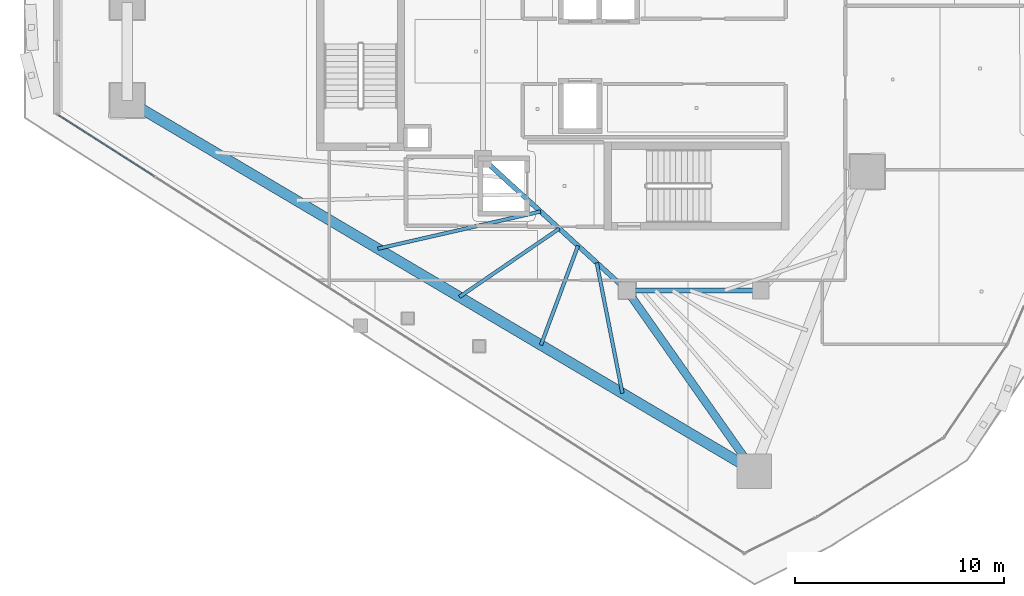
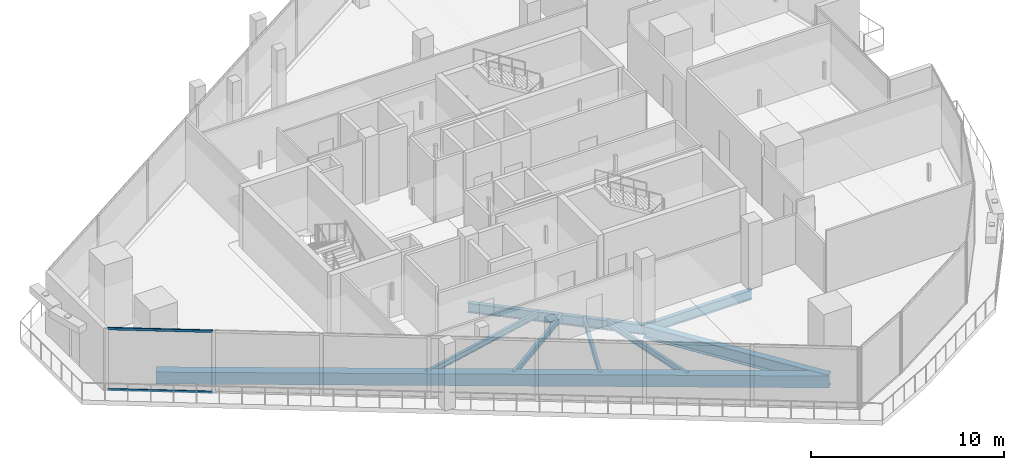
# One storey, part 5 of 34: 8 beams, 2 members, 1 element without a shape of its own.
"""IFC4 building model written with IfcOpenShell, lengths in metres."""

from ifc_helpers import new_model, si_unit, direction, frame, origin, origin_2d, place, context, subcontext, project, spatial, rectangle, hollow_rectangle, i_section, extrude, material, layer, layer_set, material_profile, profile_set, type_object, element, aggregate, save


model = new_model("IFC4")

# Units and contexts
model_context = context("Model", 3, precision=1e-05, world=origin(), true_north=direction((0.0, 1.0)))
body_context = subcontext(model_context, "Body", "Model", "MODEL_VIEW")
ifc_project = project(units=[si_unit("LENGTHUNIT", "METRE"), si_unit("AREAUNIT", "SQUARE_METRE"), si_unit("VOLUMEUNIT", "CUBIC_METRE"), si_unit("PLANEANGLEUNIT", "RADIAN"), si_unit("MASSUNIT", "GRAM", prefix="KILO")], contexts=[model_context])

# Site, building, storey
site_placement = place(None, origin())
site = spatial("IfcSite", under=ifc_project, at=site_placement, CompositionType="ELEMENT")
building_placement = place(site_placement, origin())
building = spatial("IfcBuilding", under=site, at=building_placement, Name="Qorvath Tower", CompositionType="ELEMENT")
storey_placement = place(building_placement, frame((0.0, 0.0, 268.199951171875)))
storey = spatial("IfcBuildingStorey", under=building, at=storey_placement, Name="L62", CompositionType="ELEMENT", Elevation=268.199951171875)

# Beams
ifc_material_1 = material(Name="Steel ASTM A992 Grade 50", Category="steel")
ifc_material_profile_1 = material_profile(ifc_material_1, i_section(OverallWidth=0.381103515625, OverallDepth=0.77294921875, WebThickness=0.0166015625, FlangeThickness=0.027099609375, FilletRadius=0.01904296875, at=origin_2d()), Name="W30x173")
ifc_profile_set_1 = profile_set([ifc_material_profile_1], Name="Steel ASTM A992 Grade 50")
beam_type_1 = type_object("IfcBeamType", Name="BM-FG3", PredefinedType="BEAM", material=ifc_profile_set_1)
beam_1_placement = place(storey_placement, frame((-23.60009765625, -11.449951171875, -0.676513671875), z_axis=(0.575274974004, -0.81796008722, 0.0), x_axis=(0.81796008722, 0.575274974004, 0.0)))
element("IfcBeam", 1, at=beam_1_placement, inside=storey, type_object=beam_type_1, Name="Radial Floor Girder CC4-MC3 L62", PredefinedType="BEAM", context=body_context, shape_type="SweptSolid", body=[
    extrude(i_section(OverallWidth=0.381103515625, OverallDepth=0.77294921875, WebThickness=0.0166015625, FlangeThickness=0.027099609375, FilletRadius=0.01904296875, at=origin_2d()), origin(), (0.0, 0.0, 1.0), 10.5771484375),
])
ifc_material_2 = material(Name="Steel ASTM A992 Grade 50", Category="steel")
ifc_material_profile_2 = material_profile(ifc_material_2, i_section(OverallWidth=0.22998046875, OverallDepth=0.616943359375, WebThickness=0.01318359375, FlangeThickness=0.022216796875, FilletRadius=0.014892578125, at=origin_2d()), Name="W24x94")
ifc_profile_set_2 = profile_set([ifc_material_profile_2], Name="Steel ASTM A992 Grade 50")
beam_type_2 = type_object("IfcBeamType", Name="BM-FG6", PredefinedType="BEAM", material=ifc_profile_set_2)
beam_2_placement = place(storey_placement, frame((-17.199951171875, -11.449951171875, -0.5986328125), z_axis=(-1.0, 0.0, 0.0), x_axis=(0.0, -1.0, 0.0)))
element("IfcBeam", 2, at=beam_2_placement, inside=storey, type_object=beam_type_2, Name="Core Ring Girder CC3-CC4 L62", PredefinedType="BEAM", context=body_context, shape_type="SweptSolid", body=[
    extrude(i_section(OverallWidth=0.22998046875, OverallDepth=0.616943359375, WebThickness=0.01318359375, FlangeThickness=0.022216796875, FilletRadius=0.014892578125, at=origin_2d()), origin(), (0.0, 0.0, 1.0), 6.400146484375),
])
beam_3_placement = place(storey_placement, frame((-23.60009765625, -11.449951171875, -0.5986328125), z_axis=(-0.73847813985, 0.6742774184, 0.0), x_axis=(-0.6742774184, -0.73847813985, 0.0)))
element("IfcBeam", 3, at=beam_3_placement, inside=storey, type_object=beam_type_2, Name="Core Ring Girder CC4-CC6 L62", PredefinedType="BEAM", context=body_context, shape_type="SweptSolid", body=[
    extrude(i_section(OverallWidth=0.22998046875, OverallDepth=0.616943359375, WebThickness=0.01318359375, FlangeThickness=0.022216796875, FilletRadius=0.014892578125, at=origin_2d()), origin(), (0.0, 0.0, 1.0), 9.343505859375),
])
ifc_material_3 = material(Name="Steel ASTM A992 Grade 50", Category="steel")
ifc_material_profile_3 = material_profile(ifc_material_3, i_section(OverallWidth=0.1708984375, OverallDepth=0.35107421875, WebThickness=0.0068359375, FlangeThickness=0.009765625, FilletRadius=0.010009765625, at=origin_2d()), Name="W14x30")
ifc_profile_set_3 = profile_set([ifc_material_profile_3], Name="Steel ASTM A992 Grade 50")
beam_type_3 = type_object("IfcBeamType", Name="BM-FJ4", PredefinedType="JOIST", material=ifc_profile_set_3)
beam_4_placement = place(storey_placement, frame((-27.739990234375, -7.669921875, -0.465576171875), z_axis=(-0.974852627195, -0.222850522212, 0.0), x_axis=(0.222850522212, -0.974852627195, 0.0)))
element("IfcBeam", 4, at=beam_4_placement, inside=storey, type_object=beam_type_3, Name="Composite Floor Joist SW3 L62", PredefinedType="JOIST", context=body_context, shape_type="SweptSolid", body=[
    extrude(i_section(OverallWidth=0.1708984375, OverallDepth=0.35107421875, WebThickness=0.0068359375, FlangeThickness=0.009765625, FilletRadius=0.010009765625, at=origin_2d()), origin(), (0.0, 0.0, 1.0), 7.98974609375),
])
beam_5_placement = place(storey_placement, frame((-26.843017578125, -8.489013671875, -0.465576171875), z_axis=(-0.82557592702, -0.564291049658, 0.0), x_axis=(0.564291049658, -0.82557592702, 0.0)))
element("IfcBeam", 5, at=beam_5_placement, inside=storey, type_object=beam_type_3, Name="Composite Floor Joist SW4 L62", PredefinedType="JOIST", context=body_context, shape_type="SweptSolid", body=[
    extrude(i_section(OverallWidth=0.1708984375, OverallDepth=0.35107421875, WebThickness=0.0068359375, FlangeThickness=0.009765625, FilletRadius=0.010009765625, at=origin_2d()), origin(), (0.0, 0.0, 1.0), 5.793212890625),
])
beam_6_placement = place(storey_placement, frame((-25.946044921875, -9.30810546875, -0.465576171875), z_axis=(-0.349858795354, -0.936802446257, 0.0), x_axis=(0.936802446257, -0.349858795354, 0.0)))
element("IfcBeam", 6, at=beam_6_placement, inside=storey, type_object=beam_type_3, Name="Composite Floor Joist SW5 L62", PredefinedType="JOIST", context=body_context, shape_type="SweptSolid", body=[
    extrude(i_section(OverallWidth=0.1708984375, OverallDepth=0.35107421875, WebThickness=0.0068359375, FlangeThickness=0.009765625, FilletRadius=0.010009765625, at=origin_2d()), origin(), (0.0, 0.0, 1.0), 5.078857421875),
])
beam_7_placement = place(storey_placement, frame((-25.049072265625, -10.126953125, -0.465576171875), z_axis=(0.193040016911, -0.981190884523, 0.0), x_axis=(0.981190884523, 0.193040016911, 0.0)))
element("IfcBeam", 7, at=beam_7_placement, inside=storey, type_object=beam_type_3, Name="Composite Floor Joist SW6 L62", PredefinedType="JOIST", context=body_context, shape_type="SweptSolid", body=[
    extrude(i_section(OverallWidth=0.1708984375, OverallDepth=0.35107421875, WebThickness=0.0068359375, FlangeThickness=0.009765625, FilletRadius=0.010009765625, at=origin_2d()), origin(), (0.0, 0.0, 1.0), 6.366455078125),
])
ifc_material_4 = material(Name="Concrete C45/55", Category="concrete")
ifc_material_profile_4 = material_profile(ifc_material_4, rectangle(XDim=0.5, YDim=0.75, at=origin_2d()), Name="RCB 750x500")
ifc_profile_set_4 = profile_set([ifc_material_profile_4], Name="Concrete C45/55")
beam_type_4 = type_object("IfcBeamType", Name="BM-RCB3", PredefinedType="SPANDREL", material=ifc_profile_set_4)
beam_8_placement = place(storey_placement, frame((-47.53759765625, -2.349609375, -0.6650390625), z_axis=(0.860781425392, -0.50897479083, 0.0), x_axis=(0.50897479083, 0.860781425392, 0.0)))
element("IfcBeam", 8, at=beam_8_placement, inside=storey, type_object=beam_type_4, Name="Perimeter Loggia Frame Beam MC2-MC3 L62", PredefinedType="SPANDREL", context=body_context, shape_type="SweptSolid", body=[
    extrude(rectangle(XDim=0.5, YDim=0.75, at=origin_2d()), origin(), (0.0, 0.0, 1.0), 34.8779296875),
])

# Curtain wall, members
ifc_material_5 = material(Name="Anodised aluminium and triple low-E glass", Category="aluminium")
ifc_layer = layer(ifc_material_5, 0.179931640625)
ifc_layer_set = layer_set([ifc_layer], Name="CW-SYS-4")
curtain_wall_type = type_object("IfcCurtainWallType", Name="CW-SYS-4", PredefinedType="NOTDEFINED", material=ifc_layer_set)
curtain_wall_placement = place(storey_placement, origin())
curtain_wall = element("IfcCurtainWall", 9, at=curtain_wall_placement, inside=storey, type_object=curtain_wall_type, Name="Curtain Wall CW-4 CW-T-L62-2.1", PredefinedType="NOTDEFINED")
ifc_material_6 = material(Name="Anodised aluminium 6063-T6", Category="aluminium")
ifc_material_profile_5 = material_profile(ifc_material_6, hollow_rectangle(XDim=0.06494140625, YDim=0.159912109375, WallThickness=0.00341796875, InnerFilletRadius=0.00341796875, OuterFilletRadius=0.007080078125, at=origin_2d()), Name="CWT 160x65")
ifc_profile_set_5 = profile_set([ifc_material_profile_5], Name="Anodised aluminium 6063-T6")
member_type = type_object("IfcMemberType", Name="CWT-160", PredefinedType="USERDEFINED", material=ifc_profile_set_5)
member_1_placement = place(storey_placement, frame((-50.843017578125, -3.04638671875, 0.032470703125), z_axis=(0.842608486836, -0.538526636215, 0.0), x_axis=(0.538526636215, 0.842608486836, 0.0)))
member_1 = element("IfcMember", 10, at=member_1_placement, type_object=member_type, Name="CW-4 transom 1.1", ObjectType="TRANSOM", PredefinedType="USERDEFINED", context=body_context, shape_type="SweptSolid", body=[
    extrude(hollow_rectangle(XDim=0.06494140625, YDim=0.159912109375, WallThickness=0.00341796875, InnerFilletRadius=0.00341796875, OuterFilletRadius=0.007080078125, at=origin_2d()), origin(), (0.0, 0.0, 1.0), 5.46923828125),
])
member_2_placement = place(storey_placement, frame((-50.843017578125, -3.04638671875, 3.877685546875), z_axis=(0.842608486836, -0.538526636215, 0.0), x_axis=(0.538526636215, 0.842608486836, 0.0)))
member_2 = element("IfcMember", 11, at=member_2_placement, type_object=member_type, Name="CW-4 transom 1.2", ObjectType="TRANSOM", PredefinedType="USERDEFINED", context=body_context, shape_type="SweptSolid", body=[
    extrude(hollow_rectangle(XDim=0.06494140625, YDim=0.159912109375, WallThickness=0.00341796875, InnerFilletRadius=0.00341796875, OuterFilletRadius=0.007080078125, at=origin_2d()), origin(), (0.0, 0.0, 1.0), 5.46923828125),
])
aggregate(curtain_wall, [member_1, member_2])

save(model, "model.ifc")
